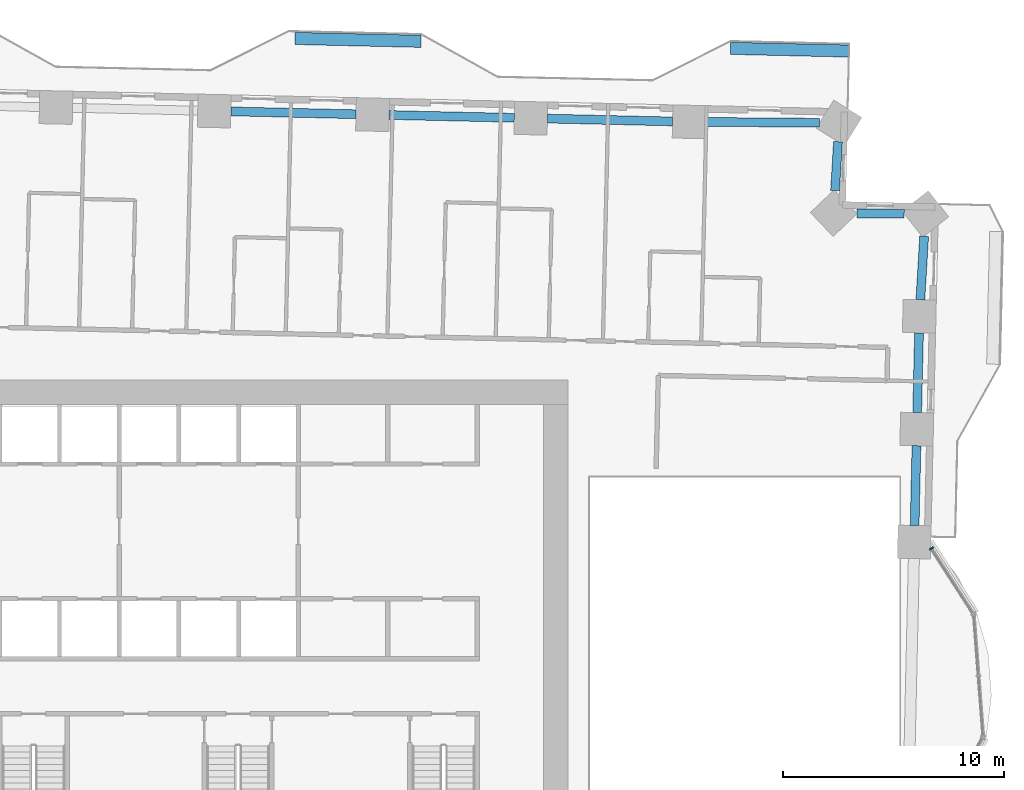
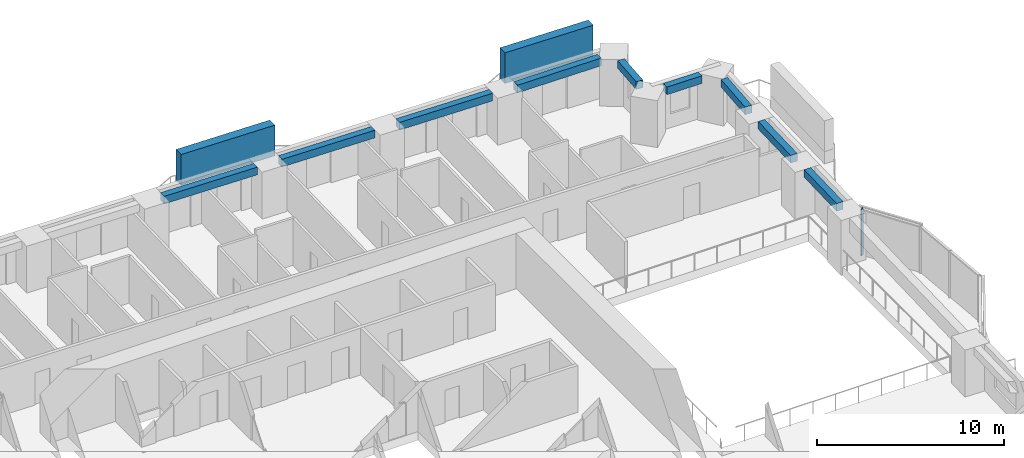
# One storey, part 4 of 18: 9 beams, 3 members, 1 element without a shape of its own.
"""IFC4 building model written with IfcOpenShell, lengths in metres."""

import ifcopenshell
import ifcopenshell.guid

model = None  # the IFC model being written
_history = None  # IfcOwnerHistory: only IFC2X3 demands one
_inside = {}  # id of a spatial element -> (the spatial element, [elements in it])
_under = {}  # id of a project, library or spatial element -> (it, [spatial elements below it])
_declared = {}  # id of a project -> (the project, [libraries it declares])
_typed = {}  # id of a type object -> (the type object, [elements of that type])
_made_of = {}  # id of a material, layer set ... -> (it, [elements and type objects made of it])


def new_model(schema):
    """Start an empty IFC model of exactly this schema.

    Asked for "IFC4X3", IfcOpenShell would pick the latest addendum, in which some entities
    have other attributes; the version numbers below select the first issue.
    IFC2X3 requires an IfcOwnerHistory on every rooted entity: one is made here for all.
    """
    global model, _history
    if schema == "IFC4X3":
        model = ifcopenshell.file(schema_version=(4, 3, 0, 0))
    else:
        model = ifcopenshell.file(schema=schema)
    _inside.clear()
    _under.clear()
    _declared.clear()
    _typed.clear()
    _made_of.clear()
    _history = None
    if model.schema == "IFC2X3":
        org = make("IfcOrganization", Name="unknown")
        user = make(
            "IfcPersonAndOrganization",
            ThePerson=make("IfcPerson", FamilyName="unknown"),
            TheOrganization=org,
        )
        app = make(
            "IfcApplication",
            ApplicationDeveloper=org,
            Version="unknown",
            ApplicationFullName="unknown",
            ApplicationIdentifier="unknown",
        )
        _history = make(
            "IfcOwnerHistory",
            OwningUser=user,
            OwningApplication=app,
            ChangeAction="ADDED",
            CreationDate=0,
        )
    return model


def make(cls, **values):
    """One entity of the class cls with the attributes given. An attribute that is None is left unset."""
    return model.create_entity(
        cls, **{name: value for name, value in values.items() if value is not None}
    )


def rooted(cls, **values):
    """An entity with a GlobalId (a new one), such as an element, a storey or a relation."""
    return make(cls, GlobalId=ifcopenshell.guid.new(), OwnerHistory=_history, **values)


def si_unit(unit_type, name, prefix=None):
    """IfcSIUnit, for example si_unit("LENGTHUNIT", "METRE", prefix="MILLI")."""
    return make("IfcSIUnit", UnitType=unit_type, Prefix=prefix, Name=name)


def assignment(units):
    """IfcUnitAssignment: the units of a project."""
    return None if units is None else make("IfcUnitAssignment", Units=units)


def point(xyz):
    """IfcCartesianPoint."""
    return None if xyz is None else make("IfcCartesianPoint", Coordinates=xyz)


def direction(xyz):
    """IfcDirection."""
    return None if xyz is None else make("IfcDirection", DirectionRatios=xyz)


def frame(location, z_axis=None, x_axis=None):
    """IfcAxis2Placement3D, a coordinate frame: its origin and axes. An axis left out is left unset."""
    return make(
        "IfcAxis2Placement3D",
        Location=point(location),
        Axis=direction(z_axis),
        RefDirection=direction(x_axis),
    )


def frame_2d(location, x_axis=None):
    """IfcAxis2Placement2D, a coordinate frame in the plane: its origin and x axis."""
    return make(
        "IfcAxis2Placement2D", Location=point(location), RefDirection=direction(x_axis)
    )


def origin():
    """The frame at (0, 0, 0) with its axes left unset."""
    return frame((0.0, 0.0, 0.0))


def origin_2d():
    """The frame at (0, 0) in the plane with its x axis left unset."""
    return frame_2d((0.0, 0.0))


def place(relative_to, where):
    """IfcLocalPlacement: puts the frame where relative to a parent placement (None: the world)."""
    return make(
        "IfcLocalPlacement", PlacementRelTo=relative_to, RelativePlacement=where
    )


def context(
    kind, dimensions, precision=None, world=None, true_north=None, identifier=None
):
    """IfcGeometricRepresentationContext, for example the 3D "Model" context."""
    return make(
        "IfcGeometricRepresentationContext",
        ContextIdentifier=identifier,
        ContextType=kind,
        CoordinateSpaceDimension=dimensions,
        Precision=precision,
        WorldCoordinateSystem=world,
        TrueNorth=true_north,
    )


def subcontext(parent, identifier, kind, view, scale=None):
    """IfcGeometricRepresentationSubContext, for example "Body" below "Model"."""
    return make(
        "IfcGeometricRepresentationSubContext",
        ContextIdentifier=identifier,
        ContextType=kind,
        ParentContext=parent,
        TargetScale=scale,
        TargetView=view,
    )


def project(units=None, contexts=None):
    """IfcProject with its units and contexts."""
    return rooted(
        "IfcProject",
        Name="project",
        RepresentationContexts=contexts,
        UnitsInContext=assignment(units),
    )


def spatial(cls, under=None, at=None, **own):
    """A site, building, storey or space (cls), placed at a placement, below another one or the project."""
    s = rooted(cls, ObjectPlacement=at, **own)
    if under is not None:
        _under.setdefault(under.id(), (under, []))[1].append(s)
    return s


def profile(cls, at=None, kind="AREA", **sizes):
    """A parametric profile (cls). Its sizes go by their IFC names, for example OverallWidth=200.0."""
    return make(cls, ProfileType=kind, Position=at, **sizes)


def rectangle(**sizes):
    """IfcRectangleProfileDef."""
    return profile("IfcRectangleProfileDef", **sizes)


def extrude(swept, where, along, depth):
    """IfcExtrudedAreaSolid: the profile swept, set in the frame where, extruded along a direction by depth."""
    return make(
        "IfcExtrudedAreaSolid",
        SweptArea=swept,
        Position=where,
        ExtrudedDirection=direction(along),
        Depth=depth,
    )


def shape(context_of_items, identifier, shape_type, items):
    """IfcShapeRepresentation: the items that make up one representation, for example the "Body"."""
    return make(
        "IfcShapeRepresentation",
        ContextOfItems=context_of_items,
        RepresentationIdentifier=identifier,
        RepresentationType=shape_type,
        Items=items,
    )


def material(Name=None, Category=None):
    """IfcMaterial."""
    return make("IfcMaterial", Name=Name, Category=Category)


def material_profile(
    of_material, cross_section, Name=None, Category=None, Priority=None
):
    """IfcMaterialProfile: a cross section and its material."""
    return make(
        "IfcMaterialProfile",
        Name=Name,
        Material=of_material,
        Profile=cross_section,
        Priority=Priority,
        Category=Category,
    )


def profile_set(profiles, Name=None, composite=None):
    """IfcMaterialProfileSet."""
    return make(
        "IfcMaterialProfileSet",
        Name=Name,
        MaterialProfiles=profiles,
        CompositeProfile=composite,
    )


def made_of(thing, what):
    """Note that an element or type object is made of a material, layer set ...; save() writes the relation."""
    if what is not None:
        _made_of.setdefault(what.id(), (what, []))[1].append(thing)
    return thing


def type_object(cls, material=None, **own):
    """A type object (cls), such as IfcWallType, which elements share."""
    return made_of(rooted(cls, **own), material)


def element(
    cls,
    number,
    at=None,
    inside=None,
    cuts=None,
    type_object=None,
    material=None,
    context=None,
    identifier="Body",
    shape_type=None,
    held_by="IfcProductDefinitionShape",
    body=None,
    shapes=None,
    **own,
):
    """One element of the class cls, such as IfcWall. Its Tag is "e" and its number.

    at: its placement. inside: the storey or other place that contains it. cuts: it is an
    opening in that element (IfcRelVoidsElement). A single representation is given by context,
    identifier, shape_type and body (its items); several are given by shapes. held_by: the class
    of the entity that holds the representations. save() writes the other relations.
    """
    e = rooted(cls, Tag="e%d" % number, ObjectPlacement=at, **own)
    if body is not None:
        shapes = [shape(context, identifier, shape_type, body)]
    if shapes is not None:
        e.Representation = make(held_by, Representations=shapes)
    if inside is not None:
        _inside.setdefault(inside.id(), (inside, []))[1].append(e)
    if cuts is not None:
        rooted(
            "IfcRelVoidsElement", RelatingBuildingElement=cuts, RelatedOpeningElement=e
        )
    if type_object is not None:
        _typed.setdefault(type_object.id(), (type_object, []))[1].append(e)
    return made_of(e, material)


def aggregate(whole, parts):
    """IfcRelAggregates: a whole, such as a stair, and the parts it consists of."""
    return rooted("IfcRelAggregates", RelatingObject=whole, RelatedObjects=parts)


def save(model, path):
    """Write the relations noted so far, then the file.

    IfcRelAggregates (storeys below a building ...), IfcRelContainedInSpatialStructure (elements
    in a storey), IfcRelDefinesByType, IfcRelAssociatesMaterial and IfcRelDeclares: one each for
    every whole, place, type object, material and project.
    """
    for whole, parts in _under.values():
        aggregate(whole, parts)
    for where, things in _inside.values():
        rooted(
            "IfcRelContainedInSpatialStructure",
            RelatedElements=things,
            RelatingStructure=where,
        )
    for kind, things in _typed.values():
        rooted("IfcRelDefinesByType", RelatedObjects=things, RelatingType=kind)
    for what, things in _made_of.values():
        rooted("IfcRelAssociatesMaterial", RelatedObjects=things, RelatingMaterial=what)
    for by, libraries in _declared.values():
        rooted("IfcRelDeclares", RelatingContext=by, RelatedDefinitions=libraries)
    model.write(path)


model = new_model("IFC4")

# Units and contexts
model_context = context("Model", 3, precision=1e-05, world=origin(), true_north=direction((0.0, 1.0)))
body_context = subcontext(model_context, "Body", "Model", "MODEL_VIEW")
ifc_project = project(units=[si_unit("LENGTHUNIT", "METRE"), si_unit("AREAUNIT", "SQUARE_METRE"), si_unit("VOLUMEUNIT", "CUBIC_METRE"), si_unit("PLANEANGLEUNIT", "RADIAN"), si_unit("MASSUNIT", "GRAM", prefix="KILO")], contexts=[model_context])

# Site, building, storey
site_placement = place(None, origin())
site = spatial("IfcSite", under=ifc_project, at=site_placement, CompositionType="ELEMENT")
building_placement = place(site_placement, origin())
building = spatial("IfcBuilding", under=site, at=building_placement, Name="Mangrove Gate Tower", CompositionType="ELEMENT")
storey_placement = place(building_placement, frame((0.0, 0.0, 56.699951171875)))
storey = spatial("IfcBuildingStorey", under=building, at=storey_placement, Name="L13", CompositionType="ELEMENT", Elevation=56.699951171875)

# Curtain wall, member
ifc_material_1 = material(Name="Aluminium and glass curtain wall", Category="aluminium")
curtain_wall_type = type_object("IfcCurtainWallType", Name="Atrium garden-court glazing wall", PredefinedType="NOTDEFINED", material=ifc_material_1)
curtain_wall_placement = place(storey_placement, origin())
curtain_wall = element("IfcCurtainWall", 1, at=curtain_wall_placement, inside=storey, type_object=curtain_wall_type, Name="Atrium garden-court glazing E1f3", PredefinedType="NOTDEFINED")
ifc_material_2 = material(Name="Aluminium alloy 6063-T6", Category="aluminium")
ifc_material_profile_1 = material_profile(ifc_material_2, rectangle(XDim=0.070068359375, YDim=0.199951171875, at=origin_2d()))
ifc_profile_set_1 = profile_set([ifc_material_profile_1], Name="Aluminium alloy 6063-T6")
member_type_1 = type_object("IfcMemberType", Name="Atrium garden-court glazing mullion 70x200", PredefinedType="MULLION", material=ifc_profile_set_1)
member_1_placement = place(storey_placement, frame((31.33935546875, 4.2783203125, 0.0), z_axis=(0.0, 0.0, 1.0), x_axis=(-0.540524576597, 0.841328224948, 0.0)))
member_1 = element("IfcMember", 2, at=member_1_placement, type_object=member_type_1, Name="CWA mullion 2", PredefinedType="MULLION", context=body_context, shape_type="SweptSolid", body=[
    extrude(rectangle(XDim=0.070068359375, YDim=0.199951171875, at=origin_2d()), origin(), (0.0, 0.0, 1.0), 3.050048828125),
])
aggregate(curtain_wall, [member_1])

# Members
ifc_material_3 = material(Name="Planting on aluminium trellis", Category="aluminium")
ifc_material_profile_2 = material_profile(ifc_material_3, rectangle(XDim=0.550048828125, YDim=2.0, at=origin_2d()))
ifc_profile_set_2 = profile_set([ifc_material_profile_2], Name="Planting on aluminium trellis")
member_type_2 = type_object("IfcMemberType", Name="Balcony greenery screen 550x2000", PredefinedType="USERDEFINED", material=ifc_profile_set_2)
member_2_placement = place(storey_placement, frame((2.55810546875, 27.35107421875, 1.800048828125), z_axis=(0.999739419866, -0.022827447663, 0.0), x_axis=(0.022827447663, 0.999739419866, 0.0)))
element("IfcMember", 3, at=member_2_placement, inside=storey, type_object=member_type_2, Name="GREEN SCREEN L13 N0.1", ObjectType="PLANTING", PredefinedType="USERDEFINED", context=body_context, shape_type="SweptSolid", body=[
    extrude(rectangle(XDim=0.550048828125, YDim=2.0, at=origin_2d()), origin(), (0.0, 0.0, 1.0), 5.700439453125),
])
member_3_placement = place(storey_placement, frame((22.2529296875, 26.904052734375, 1.800048828125), z_axis=(0.999741459769, -0.022737933492, 0.0), x_axis=(0.022737933492, 0.999741459769, 0.0)))
element("IfcMember", 4, at=member_3_placement, inside=storey, type_object=member_type_2, Name="GREEN SCREEN L13 N0.2", ObjectType="PLANTING", PredefinedType="USERDEFINED", context=body_context, shape_type="SweptSolid", body=[
    extrude(rectangle(XDim=0.550048828125, YDim=2.0, at=origin_2d()), origin(), (0.0, 0.0, 1.0), 5.36865234375),
])

# Beams
ifc_material_4 = material(Name="Concrete C50/60", Category="concrete")
ifc_material_profile_3 = material_profile(ifc_material_4, rectangle(XDim=0.39990234375, YDim=0.5, at=origin_2d()))
ifc_profile_set_3 = profile_set([ifc_material_profile_3], Name="Concrete C50/60")
beam_type = type_object("IfcBeamType", Name="Edge beam RC 400x500 C50/60", PredefinedType="BEAM", material=ifc_profile_set_3)
for number, where, z_axis, x_axis, name in (
    (5, (30.583251953125, 5.31982421875, 2.800048828125), (0.022733700787, 0.999741556028, 0.0), (-0.999741556028, 0.022733700787, 0.0), "Edge beam L13 17"),
    (6, (30.69921875, 10.4267578125, 2.800048828125), (0.022733700787, 0.999741556028, 0.0), (-0.999741556028, 0.022733700787, 0.0), "Edge beam L13 18"),
):
    element("IfcBeam", number, at=place(storey_placement, frame(where, z_axis=z_axis, x_axis=x_axis)), inside=storey, type_object=beam_type, Name=name, PredefinedType="BEAM", context=body_context, shape_type="SweptSolid", body=[
        extrude(rectangle(XDim=0.39990234375, YDim=0.5, at=origin_2d()), origin(), (0.0, 0.0, 1.0), 3.6083984375),
    ])
beam_1_placement = place(storey_placement, frame((30.8427734375, 15.533203125, 2.800048828125), z_axis=(0.059561358545, 0.998224646344, 0.0), x_axis=(-0.998224646344, 0.059561358545, 0.0)))
element("IfcBeam", 7, at=beam_1_placement, inside=storey, type_object=beam_type, Name="Edge beam L13 19", PredefinedType="BEAM", context=body_context, shape_type="SweptSolid", body=[
    extrude(rectangle(XDim=0.39990234375, YDim=0.5, at=origin_2d()), origin(), (0.0, 0.0, 1.0), 2.881591796875),
])
beam_2_placement = place(storey_placement, frame((30.113037109375, 19.41943359375, 2.800048828125), z_axis=(-0.999952010692, 0.009796750162, 0.0), x_axis=(-0.009796750162, -0.999952010692, 0.0)))
element("IfcBeam", 8, at=beam_2_placement, inside=storey, type_object=beam_type, Name="Edge beam L13 20", PredefinedType="BEAM", context=body_context, shape_type="SweptSolid", body=[
    extrude(rectangle(XDim=0.39990234375, YDim=0.5, at=origin_2d()), origin(), (0.0, 0.0, 1.0), 2.14306640625),
])
beam_3_placement = place(storey_placement, frame((26.983642578125, 20.47265625, 2.800048828125), z_axis=(0.059518193814, 0.99822722093, 0.0), x_axis=(-0.99822722093, 0.059518193814, 0.0)))
element("IfcBeam", 9, at=beam_3_placement, inside=storey, type_object=beam_type, Name="Edge beam L13 21", PredefinedType="BEAM", context=body_context, shape_type="SweptSolid", body=[
    extrude(rectangle(XDim=0.39990234375, YDim=0.5, at=origin_2d()), origin(), (0.0, 0.0, 1.0), 2.2109375),
])
beam_4_placement = place(storey_placement, frame((26.288818359375, 23.536376953125, 2.800048828125), z_axis=(-0.999972365874, 0.007434210694, 0.0), x_axis=(-0.007434210694, -0.999972365874, 0.0)))
element("IfcBeam", 10, at=beam_4_placement, inside=storey, type_object=beam_type, Name="Edge beam L13 22", PredefinedType="BEAM", context=body_context, shape_type="SweptSolid", body=[
    extrude(rectangle(XDim=0.39990234375, YDim=0.5, at=origin_2d()), origin(), (0.0, 0.0, 1.0), 5.156005859375),
])
beam_5_placement = place(storey_placement, frame((19.633056640625, 23.59716796875, 2.800048828125), z_axis=(-0.99974076585, 0.022768423239, 0.0), x_axis=(-0.022768423239, -0.99974076585, 0.0)))
element("IfcBeam", 11, at=beam_5_placement, inside=storey, type_object=beam_type, Name="Edge beam L13 23", PredefinedType="BEAM", context=body_context, shape_type="SweptSolid", body=[
    extrude(rectangle(XDim=0.39990234375, YDim=0.5, at=origin_2d()), origin(), (0.0, 0.0, 1.0), 5.66162109375),
])
beam_6_placement = place(storey_placement, frame((12.47314453125, 23.76025390625, 2.800048828125), z_axis=(-0.999744787315, 0.022591153933, 0.0), x_axis=(-0.022591153933, -0.999744787315, 0.0)))
element("IfcBeam", 12, at=beam_6_placement, inside=storey, type_object=beam_type, Name="Edge beam L13 24", PredefinedType="BEAM", context=body_context, shape_type="SweptSolid", body=[
    extrude(rectangle(XDim=0.39990234375, YDim=0.5, at=origin_2d()), origin(), (0.0, 0.0, 1.0), 5.662841796875),
])
beam_7_placement = place(storey_placement, frame((5.312255859375, 23.92236328125, 2.800048828125), z_axis=(-0.999741768757, 0.022724343849, 0.0), x_axis=(-0.022724343849, -0.999741768757, 0.0)))
element("IfcBeam", 13, at=beam_7_placement, inside=storey, type_object=beam_type, Name="Edge beam L13 25", PredefinedType="BEAM", context=body_context, shape_type="SweptSolid", body=[
    extrude(rectangle(XDim=0.39990234375, YDim=0.5, at=origin_2d()), origin(), (0.0, 0.0, 1.0), 5.661865234375),
])

save(model, "model.ifc")
